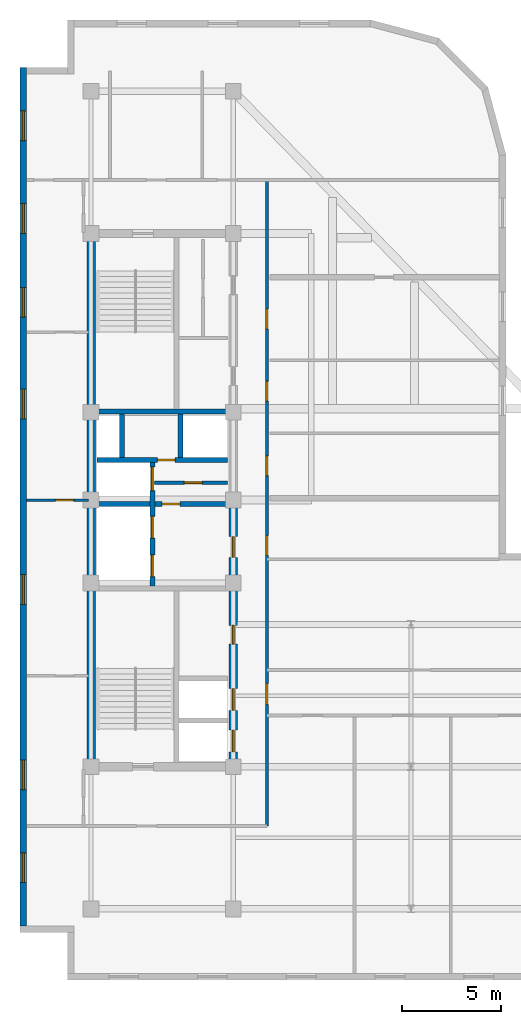
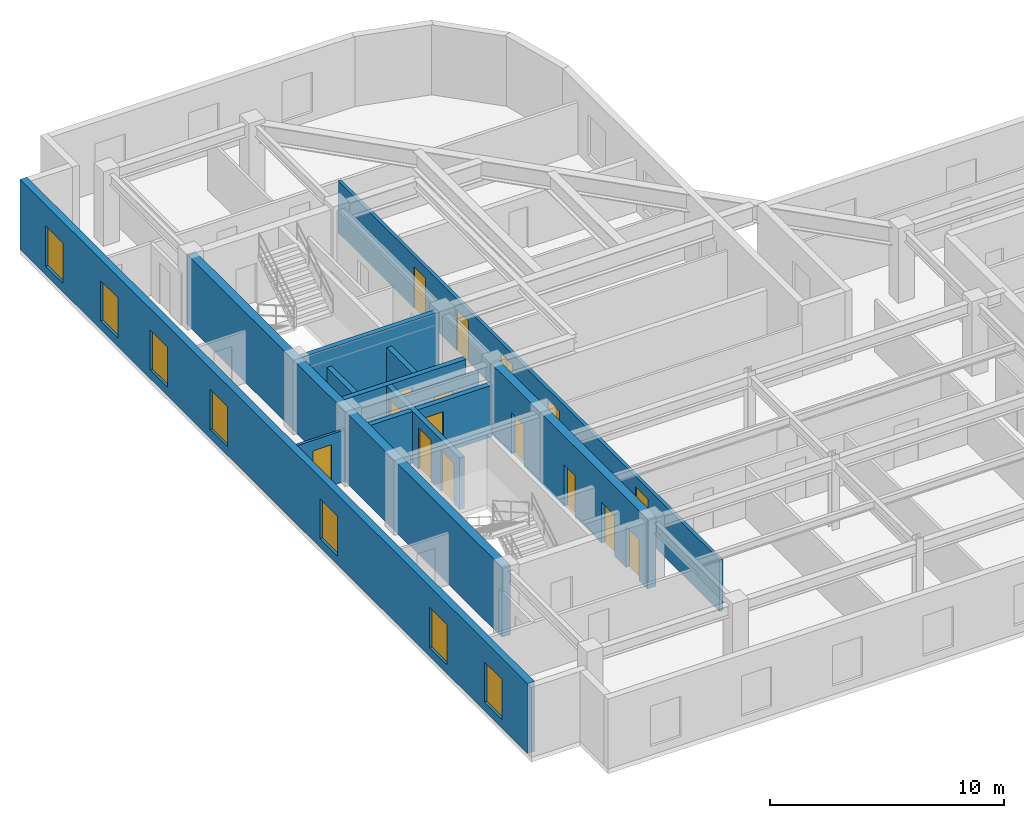
# One storey, part 4 of 10: 16 doors, 12 walls, 7 windows, 23 openings.
"""IFC4 building model written with IfcOpenShell, lengths in metres."""

from ifc_helpers import new_model, entity, si_unit, converted_unit, direction, frame, origin_with_axes, origin_2d_with_axis, place, context, subcontext, project, spatial, polyline, rectangle, outline, extrude, material, layer, layer_set, type_object, element, fill, save


model = new_model("IFC4")

# Units and contexts
model_context = context("Model", 3, precision=1e-05, world=origin_with_axes(), true_north=direction((0.0, 1.0)))
body_context = subcontext(model_context, "Body", "Model", "MODEL_VIEW")
ifc_project = project(units=[si_unit("LENGTHUNIT", "METRE"), si_unit("AREAUNIT", "SQUARE_METRE"), si_unit("VOLUMEUNIT", "CUBIC_METRE"), converted_unit("PLANEANGLEUNIT", "DEGREE", entity("IfcPlaneAngleMeasure", 0.017453292519943295), si_unit("PLANEANGLEUNIT", "RADIAN"), dimensions=[0, 0, 0, 0, 0, 0, 0]), si_unit("MASSUNIT", "GRAM", prefix="KILO"), si_unit("THERMODYNAMICTEMPERATUREUNIT", "KELVIN")], contexts=[model_context])

# Site, building, storey
site_placement = place(None, origin_with_axes())
site = spatial("IfcSite", under=ifc_project, at=site_placement, CompositionType="ELEMENT")
building_placement = place(site_placement, origin_with_axes())
building = spatial("IfcBuilding", under=site, at=building_placement, Name="Varnlund Millrace Tower", CompositionType="ELEMENT")
storey_placement = place(building_placement, frame((0.0, 0.0, 280.2), z_axis=(0.0, 0.0, 1.0), x_axis=(1.0, 0.0, 0.0)))
storey = spatial("IfcBuildingStorey", under=building, at=storey_placement, Name="L69", CompositionType="ELEMENT", Elevation=280.2)

# Wall
ifc_material_1 = material(Name="Concrete C60/75", Category="concrete")
ifc_layer_1 = layer(ifc_material_1, 0.42, Name="Concrete C60/75")
ifc_layer_set_1 = layer_set([ifc_layer_1], Name="Concrete C60/75")
wall_type_1 = type_object("IfcWallType", Name="Type-CoreWall-Shear-420-C60", PredefinedType="SHEAR", material=ifc_layer_set_1)
wall_1_placement = place(storey_placement, frame((11.4, 10.8, 0.0), z_axis=(0.0, 0.0, 1.0), x_axis=(0.0, 1.0, 0.0)))
element("IfcWall", 1, at=wall_1_placement, inside=storey, type_object=wall_type_1, Name="Type-CoreWall-Shear-420-C60", PredefinedType="SHEAR", context=body_context, shape_type="SweptSolid", body=[
    extrude(outline(polyline([(0.0, -0.21), (27.0, -0.21), (27.0, 0.21), (0.0, 0.21), (0.0, -0.21)])), origin_with_axes(), (0.0, 0.0, 1.0), 3.66),
])

# Wall, openings, doors
wall_2_placement = place(storey_placement, frame((18.6, 10.8, 0.0), z_axis=(0.0, 0.0, 1.0), x_axis=(0.0, 1.0, 0.0)))
wall_2 = element("IfcWall", 2, at=wall_2_placement, inside=storey, type_object=wall_type_1, Name="Type-CoreWall-Shear-420-C60", PredefinedType="SHEAR", context=body_context, shape_type="SweptSolid", body=[
    extrude(outline(polyline([(0.0, -0.21), (13.5, -0.21), (13.5, 0.21), (0.0, 0.21), (0.0, -0.21)])), origin_with_axes(), (0.0, 0.0, 1.0), 3.66),
])
opening_1_placement = place(wall_2_placement, frame((1.3, 0.0, 0.0), z_axis=(0.0, 0.0, 1.0), x_axis=(1.0, 0.0, 0.0)))
opening_1 = element("IfcOpeningElement", 3, at=opening_1_placement, cuts=wall_2, Name="Opening L69:LD-ELV-H1", PredefinedType="OPENING", context=body_context, shape_type="SweptSolid", body=[
    extrude(rectangle(XDim=1.1, YDim=0.44, at=origin_2d_with_axis()), origin_with_axes(), (0.0, 0.0, 1.0), 2.15),
])
opening_2_placement = place(wall_2_placement, frame((3.4, 0.0, 0.0), z_axis=(0.0, 0.0, 1.0), x_axis=(1.0, 0.0, 0.0)))
opening_2 = element("IfcOpeningElement", 4, at=opening_2_placement, cuts=wall_2, Name="Opening L69:LD-ELV-H2", PredefinedType="OPENING", context=body_context, shape_type="SweptSolid", body=[
    extrude(rectangle(XDim=1.1, YDim=0.44, at=origin_2d_with_axis()), origin_with_axes(), (0.0, 0.0, 1.0), 2.15),
])
opening_3_placement = place(wall_2_placement, frame((11.125, 0.0, 0.0), z_axis=(0.0, 0.0, 1.0), x_axis=(1.0, 0.0, 0.0)))
opening_3 = element("IfcOpeningElement", 5, at=opening_3_placement, cuts=wall_2, Name="Opening L69:DR-FFLOB-A", PredefinedType="OPENING", context=body_context, shape_type="SweptSolid", body=[
    extrude(rectangle(XDim=1.05, YDim=0.44, at=origin_2d_with_axis()), origin_with_axes(), (0.0, 0.0, 1.0), 2.15),
])
opening_4_placement = place(wall_2_placement, frame((6.675, 0.0, 0.0), z_axis=(0.0, 0.0, 1.0), x_axis=(1.0, 0.0, 0.0)))
opening_4 = element("IfcOpeningElement", 6, at=opening_4_placement, cuts=wall_2, Name="Opening L69:DR-RECL-S1AB", PredefinedType="OPENING", context=body_context, shape_type="SweptSolid", body=[
    extrude(rectangle(XDim=0.95, YDim=0.44, at=origin_2d_with_axis()), origin_with_axes(), (0.0, 0.0, 1.0), 2.15),
])
ifc_material_2 = material(Name="Smoke-barrier hollow steel fire door", Category="steel")
door_type_1 = type_object("IfcDoorType", Name="Type-FireDoor-Lobby-1050X2150", OperationType="NOTDEFINED", PredefinedType="DOOR", material=ifc_material_2)
door_1_placement = place(wall_2_placement, frame((11.125, 0.0, 0.0), z_axis=(0.0, 0.0, 1.0), x_axis=(1.0, 0.0, 0.0)))
door_1 = element("IfcDoor", 7, at=door_1_placement, inside=storey, type_object=door_type_1, Name="Type-FireDoor-Lobby-1050X2150", OperationType="SINGLE_SWING_LEFT", OverallHeight=2.15, OverallWidth=1.05, PredefinedType="DOOR", context=body_context, shape_type="SweptSolid", body=[
    extrude(rectangle(XDim=1.05, YDim=0.09, at=origin_2d_with_axis()), origin_with_axes(), (0.0, 0.0, 1.0), 2.15),
])
fill(opening_3, door_1)
ifc_material_3 = material(Name="Fire-rated hollow steel core service door", Category="steel")
door_type_2 = type_object("IfcDoorType", Name="Type-FireDoor-Service-950X2150", OperationType="NOTDEFINED", PredefinedType="DOOR", material=ifc_material_3)
door_2_placement = place(wall_2_placement, frame((6.675, 0.0, 0.0), z_axis=(0.0, 0.0, 1.0), x_axis=(1.0, 0.0, 0.0)))
door_2 = element("IfcDoor", 8, at=door_2_placement, inside=storey, type_object=door_type_2, Name="Type-FireDoor-Service-950X2150", OperationType="SINGLE_SWING_LEFT", OverallHeight=2.15, OverallWidth=0.95, PredefinedType="DOOR", context=body_context, shape_type="SweptSolid", body=[
    extrude(rectangle(XDim=0.95, YDim=0.09, at=origin_2d_with_axis()), origin_with_axes(), (0.0, 0.0, 1.0), 2.15),
])
fill(opening_4, door_2)
ifc_material_4 = material(Name="Stainless and architectural bronze sliding landing door")
door_type_3 = type_object("IfcDoorType", Name="Type-LiftLandingDoor-1100X2150", OperationType="NOTDEFINED", PredefinedType="DOOR", material=ifc_material_4)
door_3_placement = place(wall_2_placement, frame((1.3, 0.0, 0.0), z_axis=(0.0, 0.0, 1.0), x_axis=(1.0, 0.0, 0.0)))
door_3 = element("IfcDoor", 9, at=door_3_placement, inside=storey, type_object=door_type_3, Name="Type-LiftLandingDoor-1100X2150", OperationType="SLIDING_TO_LEFT", OverallHeight=2.15, OverallWidth=1.1, PredefinedType="DOOR", context=body_context, shape_type="SweptSolid", body=[
    extrude(rectangle(XDim=1.1, YDim=0.09, at=origin_2d_with_axis()), origin_with_axes(), (0.0, 0.0, 1.0), 2.15),
])
fill(opening_1, door_3)
door_4_placement = place(wall_2_placement, frame((3.4, 0.0, 0.0), z_axis=(0.0, 0.0, 1.0), x_axis=(1.0, 0.0, 0.0)))
door_4 = element("IfcDoor", 10, at=door_4_placement, inside=storey, type_object=door_type_3, Name="Type-LiftLandingDoor-1100X2150", OperationType="SLIDING_TO_RIGHT", OverallHeight=2.15, OverallWidth=1.1, PredefinedType="DOOR", context=body_context, shape_type="SweptSolid", body=[
    extrude(rectangle(XDim=1.1, YDim=0.09, at=origin_2d_with_axis()), origin_with_axes(), (0.0, 0.0, 1.0), 2.15),
])
fill(opening_2, door_4)

# Wall, openings, windows
ifc_material_5 = material(Name="Precast concrete C50/60", Category="concrete")
ifc_layer_2 = layer(ifc_material_5, 0.34, Name="Precast concrete C50/60")
ifc_layer_set_2 = layer_set([ifc_layer_2], Name="Precast concrete C50/60")
wall_type_2 = type_object("IfcWallType", Name="Type-ExtWall-Precast-Upper-340", PredefinedType="SOLIDWALL", material=ifc_layer_set_2)
wall_3_placement = place(storey_placement, frame((7.97, 2.74, 0.0), z_axis=(0.0, 0.0, 1.0), x_axis=(0.0, 1.0, 0.0)))
wall_3 = element("IfcWall", 11, at=wall_3_placement, inside=storey, type_object=wall_type_2, Name="Type-ExtWall-Precast-Upper-340", PredefinedType="SOLIDWALL", context=body_context, shape_type="SweptSolid", body=[
    extrude(outline(polyline([(0.0, -0.17), (43.46, -0.17), (43.46, 0.17), (0.0, 0.17), (0.0, -0.17)])), origin_with_axes(), (0.0, 0.0, 1.0), 3.66),
])
opening_5_placement = place(wall_3_placement, frame((2.948, 0.0, 0.45), z_axis=(0.0, 0.0, 1.0), x_axis=(1.0, 0.0, 0.0)))
opening_5 = element("IfcOpeningElement", 12, at=opening_5_placement, cuts=wall_3, Name="Opening L69:WN-17", PredefinedType="OPENING", context=body_context, shape_type="SweptSolid", body=[
    extrude(rectangle(XDim=1.5, YDim=0.36, at=origin_2d_with_axis()), origin_with_axes(), (0.0, 0.0, 1.0), 2.1),
])
opening_6_placement = place(wall_3_placement, frame((7.643, 0.0, 0.45), z_axis=(0.0, 0.0, 1.0), x_axis=(1.0, 0.0, 0.0)))
opening_6 = element("IfcOpeningElement", 13, at=opening_6_placement, cuts=wall_3, Name="Opening L69:WN-18", PredefinedType="OPENING", context=body_context, shape_type="SweptSolid", body=[
    extrude(rectangle(XDim=1.5, YDim=0.36, at=origin_2d_with_axis()), origin_with_axes(), (0.0, 0.0, 1.0), 2.1),
])
opening_7_placement = place(wall_3_placement, frame((17.034, 0.0, 0.45), z_axis=(0.0, 0.0, 1.0), x_axis=(1.0, 0.0, 0.0)))
opening_7 = element("IfcOpeningElement", 14, at=opening_7_placement, cuts=wall_3, Name="Opening L69:WN-19", PredefinedType="OPENING", context=body_context, shape_type="SweptSolid", body=[
    extrude(rectangle(XDim=1.5, YDim=0.36, at=origin_2d_with_axis()), origin_with_axes(), (0.0, 0.0, 1.0), 2.1),
])
opening_8_placement = place(wall_3_placement, frame((26.426, 0.0, 0.45), z_axis=(0.0, 0.0, 1.0), x_axis=(1.0, 0.0, 0.0)))
opening_8 = element("IfcOpeningElement", 15, at=opening_8_placement, cuts=wall_3, Name="Opening L69:WN-20", PredefinedType="OPENING", context=body_context, shape_type="SweptSolid", body=[
    extrude(rectangle(XDim=1.5, YDim=0.36, at=origin_2d_with_axis()), origin_with_axes(), (0.0, 0.0, 1.0), 2.1),
])
opening_9_placement = place(wall_3_placement, frame((31.571, 0.0, 0.45), z_axis=(0.0, 0.0, 1.0), x_axis=(1.0, 0.0, 0.0)))
opening_9 = element("IfcOpeningElement", 16, at=opening_9_placement, cuts=wall_3, Name="Opening L69:WN-21", PredefinedType="OPENING", context=body_context, shape_type="SweptSolid", body=[
    extrude(rectangle(XDim=1.5, YDim=0.36, at=origin_2d_with_axis()), origin_with_axes(), (0.0, 0.0, 1.0), 2.1),
])
opening_10_placement = place(wall_3_placement, frame((35.817, 0.0, 0.45), z_axis=(0.0, 0.0, 1.0), x_axis=(1.0, 0.0, 0.0)))
opening_10 = element("IfcOpeningElement", 17, at=opening_10_placement, cuts=wall_3, Name="Opening L69:WN-22", PredefinedType="OPENING", context=body_context, shape_type="SweptSolid", body=[
    extrude(rectangle(XDim=1.5, YDim=0.36, at=origin_2d_with_axis()), origin_with_axes(), (0.0, 0.0, 1.0), 2.1),
])
opening_11_placement = place(wall_3_placement, frame((40.512, 0.0, 0.45), z_axis=(0.0, 0.0, 1.0), x_axis=(1.0, 0.0, 0.0)))
opening_11 = element("IfcOpeningElement", 18, at=opening_11_placement, cuts=wall_3, Name="Opening L69:WN-23", PredefinedType="OPENING", context=body_context, shape_type="SweptSolid", body=[
    extrude(rectangle(XDim=1.5, YDim=0.36, at=origin_2d_with_axis()), origin_with_axes(), (0.0, 0.0, 1.0), 2.1),
])
ifc_material_6 = material(Name="Argon low-e triple glazing in thermally broken bronze frame", Category="glass")
window_type = type_object("IfcWindowType", Name="Type-Window-Punched-1500X2100", PartitioningType="SINGLE_PANEL", PredefinedType="WINDOW", material=ifc_material_6)
window_1_placement = place(wall_3_placement, frame((2.948, 0.0, 0.45), z_axis=(0.0, 0.0, 1.0), x_axis=(1.0, 0.0, 0.0)))
window_1 = element("IfcWindow", 19, at=window_1_placement, inside=storey, type_object=window_type, Name="Type-Window-Punched-1500X2100", OverallHeight=2.1, OverallWidth=1.5, PredefinedType="WINDOW", context=body_context, shape_type="SweptSolid", body=[
    extrude(rectangle(XDim=1.5, YDim=0.09, at=origin_2d_with_axis()), origin_with_axes(), (0.0, 0.0, 1.0), 2.1),
])
fill(opening_5, window_1)
window_2_placement = place(wall_3_placement, frame((7.643, 0.0, 0.45), z_axis=(0.0, 0.0, 1.0), x_axis=(1.0, 0.0, 0.0)))
window_2 = element("IfcWindow", 20, at=window_2_placement, inside=storey, type_object=window_type, Name="Type-Window-Punched-1500X2100", OverallHeight=2.1, OverallWidth=1.5, PredefinedType="WINDOW", context=body_context, shape_type="SweptSolid", body=[
    extrude(rectangle(XDim=1.5, YDim=0.09, at=origin_2d_with_axis()), origin_with_axes(), (0.0, 0.0, 1.0), 2.1),
])
fill(opening_6, window_2)
window_3_placement = place(wall_3_placement, frame((17.034, 0.0, 0.45), z_axis=(0.0, 0.0, 1.0), x_axis=(1.0, 0.0, 0.0)))
window_3 = element("IfcWindow", 21, at=window_3_placement, inside=storey, type_object=window_type, Name="Type-Window-Punched-1500X2100", OverallHeight=2.1, OverallWidth=1.5, PredefinedType="WINDOW", context=body_context, shape_type="SweptSolid", body=[
    extrude(rectangle(XDim=1.5, YDim=0.09, at=origin_2d_with_axis()), origin_with_axes(), (0.0, 0.0, 1.0), 2.1),
])
fill(opening_7, window_3)
window_4_placement = place(wall_3_placement, frame((26.426, 0.0, 0.45), z_axis=(0.0, 0.0, 1.0), x_axis=(1.0, 0.0, 0.0)))
window_4 = element("IfcWindow", 22, at=window_4_placement, inside=storey, type_object=window_type, Name="Type-Window-Punched-1500X2100", OverallHeight=2.1, OverallWidth=1.5, PredefinedType="WINDOW", context=body_context, shape_type="SweptSolid", body=[
    extrude(rectangle(XDim=1.5, YDim=0.09, at=origin_2d_with_axis()), origin_with_axes(), (0.0, 0.0, 1.0), 2.1),
])
fill(opening_8, window_4)
window_5_placement = place(wall_3_placement, frame((31.571, 0.0, 0.45), z_axis=(0.0, 0.0, 1.0), x_axis=(1.0, 0.0, 0.0)))
window_5 = element("IfcWindow", 23, at=window_5_placement, inside=storey, type_object=window_type, Name="Type-Window-Punched-1500X2100", OverallHeight=2.1, OverallWidth=1.5, PredefinedType="WINDOW", context=body_context, shape_type="SweptSolid", body=[
    extrude(rectangle(XDim=1.5, YDim=0.09, at=origin_2d_with_axis()), origin_with_axes(), (0.0, 0.0, 1.0), 2.1),
])
fill(opening_9, window_5)
window_6_placement = place(wall_3_placement, frame((35.817, 0.0, 0.45), z_axis=(0.0, 0.0, 1.0), x_axis=(1.0, 0.0, 0.0)))
window_6 = element("IfcWindow", 24, at=window_6_placement, inside=storey, type_object=window_type, Name="Type-Window-Punched-1500X2100", OverallHeight=2.1, OverallWidth=1.5, PredefinedType="WINDOW", context=body_context, shape_type="SweptSolid", body=[
    extrude(rectangle(XDim=1.5, YDim=0.09, at=origin_2d_with_axis()), origin_with_axes(), (0.0, 0.0, 1.0), 2.1),
])
fill(opening_10, window_6)
window_7_placement = place(wall_3_placement, frame((40.512, 0.0, 0.45), z_axis=(0.0, 0.0, 1.0), x_axis=(1.0, 0.0, 0.0)))
window_7 = element("IfcWindow", 25, at=window_7_placement, inside=storey, type_object=window_type, Name="Type-Window-Punched-1500X2100", OverallHeight=2.1, OverallWidth=1.5, PredefinedType="WINDOW", context=body_context, shape_type="SweptSolid", body=[
    extrude(rectangle(XDim=1.5, YDim=0.09, at=origin_2d_with_axis()), origin_with_axes(), (0.0, 0.0, 1.0), 2.1),
])
fill(opening_11, window_7)

# Wall, opening, door
ifc_material_7 = material(Name="Fire-rated gypsum board on cold-formed steel framing", Category="steel")
ifc_layer_3 = layer(ifc_material_7, 0.16, Name="Fire-rated gypsum board on cold-formed steel framing")
ifc_layer_set_3 = layer_set([ifc_layer_3], Name="Fire-rated gypsum board on cold-formed steel framing")
wall_type_3 = type_object("IfcWallType", Name="Type-Partition-Corridor-160", PredefinedType="PARTITIONING", material=ifc_layer_set_3)
wall_4_placement = place(storey_placement, frame((14.62, 25.18, 0.0), z_axis=(0.0, 0.0, 1.0), x_axis=(1.0, 0.0, 0.0)))
wall_4 = element("IfcWall", 26, at=wall_4_placement, inside=storey, type_object=wall_type_3, Name="Type-Partition-Corridor-160", PredefinedType="PARTITIONING", context=body_context, shape_type="SweptSolid", body=[
    extrude(outline(polyline([(0.0, -0.08), (3.68, -0.08), (3.68, 0.08), (0.0, 0.08), (0.0, -0.08)])), origin_with_axes(), (0.0, 0.0, 1.0), 2.7),
])
opening_12_placement = place(wall_4_placement, frame((1.95, 0.0, 0.0), z_axis=(0.0, 0.0, 1.0), x_axis=(1.0, 0.0, 0.0)))
opening_12 = element("IfcOpeningElement", 27, at=opening_12_placement, cuts=wall_4, Name="Opening L69:DR-CA-SUB2", PredefinedType="OPENING", context=body_context, shape_type="SweptSolid", body=[
    extrude(rectangle(XDim=0.9, YDim=0.18, at=origin_2d_with_axis()), origin_with_axes(), (0.0, 0.0, 1.0), 2.15),
])
ifc_material_8 = material(Name="Painted steel riser and closet door", Category="steel")
door_type_4 = type_object("IfcDoorType", Name="Type-IntDoor-Closet-900X2150", OperationType="NOTDEFINED", PredefinedType="DOOR", material=ifc_material_8)
door_5_placement = place(wall_4_placement, frame((1.95, 0.0, 0.0), z_axis=(0.0, 0.0, 1.0), x_axis=(1.0, 0.0, 0.0)))
door_5 = element("IfcDoor", 28, at=door_5_placement, inside=storey, type_object=door_type_4, Name="Type-IntDoor-Closet-900X2150", OperationType="SINGLE_SWING_LEFT", OverallHeight=2.15, OverallWidth=0.9, PredefinedType="DOOR", context=body_context, shape_type="SweptSolid", body=[
    extrude(rectangle(XDim=0.9, YDim=0.09, at=origin_2d_with_axis()), origin_with_axes(), (0.0, 0.0, 1.0), 2.15),
])
fill(opening_12, door_5)

# Wall, openings, doors
wall_5_placement = place(storey_placement, frame((20.3, 7.8, 0.0), z_axis=(0.0, 0.0, 1.0), x_axis=(0.0, 1.0, 0.0)))
wall_5 = element("IfcWall", 29, at=wall_5_placement, inside=storey, type_object=wall_type_3, Name="Type-Partition-Corridor-160", PredefinedType="PARTITIONING", context=body_context, shape_type="SweptSolid", body=[
    extrude(outline(polyline([(0.0, -0.08), (32.7, -0.08), (32.7, 0.08), (0.0, 0.08), (0.0, -0.08)])), origin_with_axes(), (0.0, 0.0, 1.0), 2.7),
])
opening_13_placement = place(wall_5_placement, frame((14.2, 0.0, 0.0), z_axis=(0.0, 0.0, 1.0), x_axis=(1.0, 0.0, 0.0)))
opening_13 = element("IfcOpeningElement", 30, at=opening_13_placement, cuts=wall_5, Name="Opening L69:DR-FLR-01", PredefinedType="OPENING", context=body_context, shape_type="SweptSolid", body=[
    extrude(rectangle(XDim=1.0, YDim=0.18, at=origin_2d_with_axis()), origin_with_axes(), (0.0, 0.0, 1.0), 2.15),
])
opening_14_placement = place(wall_5_placement, frame((18.24, 0.0, 0.0), z_axis=(0.0, 0.0, 1.0), x_axis=(1.0, 0.0, 0.0)))
opening_14 = element("IfcOpeningElement", 31, at=opening_14_placement, cuts=wall_5, Name="Opening L69:DR-FLR-02", PredefinedType="OPENING", context=body_context, shape_type="SweptSolid", body=[
    extrude(rectangle(XDim=1.0, YDim=0.18, at=origin_2d_with_axis()), origin_with_axes(), (0.0, 0.0, 1.0), 2.15),
])
opening_15_placement = place(wall_5_placement, frame((22.011, 0.0, 0.0), z_axis=(0.0, 0.0, 1.0), x_axis=(1.0, 0.0, 0.0)))
opening_15 = element("IfcOpeningElement", 32, at=opening_15_placement, cuts=wall_5, Name="Opening L69:DR-FLR-03", PredefinedType="OPENING", context=body_context, shape_type="SweptSolid", body=[
    extrude(rectangle(XDim=1.0, YDim=0.18, at=origin_2d_with_axis()), origin_with_axes(), (0.0, 0.0, 1.0), 2.15),
])
opening_16_placement = place(wall_5_placement, frame((25.672, 0.0, 0.0), z_axis=(0.0, 0.0, 1.0), x_axis=(1.0, 0.0, 0.0)))
opening_16 = element("IfcOpeningElement", 33, at=opening_16_placement, cuts=wall_5, Name="Opening L69:DR-FLR-04", PredefinedType="OPENING", context=body_context, shape_type="SweptSolid", body=[
    extrude(rectangle(XDim=1.0, YDim=0.18, at=origin_2d_with_axis()), origin_with_axes(), (0.0, 0.0, 1.0), 2.15),
])
opening_17_placement = place(wall_5_placement, frame((6.675, 0.0, 0.0), z_axis=(0.0, 0.0, 1.0), x_axis=(1.0, 0.0, 0.0)))
opening_17 = element("IfcOpeningElement", 34, at=opening_17_placement, cuts=wall_5, Name="Opening L69:DR-KN-W", PredefinedType="OPENING", context=body_context, shape_type="SweptSolid", body=[
    extrude(rectangle(XDim=1.05, YDim=0.18, at=origin_2d_with_axis()), origin_with_axes(), (0.0, 0.0, 1.0), 2.15),
])
door_6_placement = place(wall_5_placement, frame((6.675, 0.0, 0.0), z_axis=(0.0, 0.0, 1.0), x_axis=(1.0, 0.0, 0.0)))
door_6 = element("IfcDoor", 35, at=door_6_placement, inside=storey, type_object=door_type_1, Name="Type-FireDoor-Lobby-1050X2150", OperationType="SINGLE_SWING_LEFT", OverallHeight=2.15, OverallWidth=1.05, PredefinedType="DOOR", context=body_context, shape_type="SweptSolid", body=[
    extrude(rectangle(XDim=1.05, YDim=0.09, at=origin_2d_with_axis()), origin_with_axes(), (0.0, 0.0, 1.0), 2.15),
])
fill(opening_17, door_6)
ifc_material_9 = material(Name="Solid-core white oak and bronze frame door")
door_type_5 = type_object("IfcDoorType", Name="Type-IntDoor-Office-1000X2150", OperationType="NOTDEFINED", PredefinedType="DOOR", material=ifc_material_9)
door_7_placement = place(wall_5_placement, frame((14.2, 0.0, 0.0), z_axis=(0.0, 0.0, 1.0), x_axis=(1.0, 0.0, 0.0)))
door_7 = element("IfcDoor", 36, at=door_7_placement, inside=storey, type_object=door_type_5, Name="Type-IntDoor-Office-1000X2150", OperationType="SINGLE_SWING_LEFT", OverallHeight=2.15, OverallWidth=1.0, PredefinedType="DOOR", context=body_context, shape_type="SweptSolid", body=[
    extrude(rectangle(XDim=1.0, YDim=0.09, at=origin_2d_with_axis()), origin_with_axes(), (0.0, 0.0, 1.0), 2.15),
])
fill(opening_13, door_7)
door_8_placement = place(wall_5_placement, frame((18.24, 0.0, 0.0), z_axis=(0.0, 0.0, 1.0), x_axis=(1.0, 0.0, 0.0)))
door_8 = element("IfcDoor", 37, at=door_8_placement, inside=storey, type_object=door_type_5, Name="Type-IntDoor-Office-1000X2150", OperationType="SINGLE_SWING_RIGHT", OverallHeight=2.15, OverallWidth=1.0, PredefinedType="DOOR", context=body_context, shape_type="SweptSolid", body=[
    extrude(rectangle(XDim=1.0, YDim=0.09, at=origin_2d_with_axis()), origin_with_axes(), (0.0, 0.0, 1.0), 2.15),
])
fill(opening_14, door_8)
door_9_placement = place(wall_5_placement, frame((22.011, 0.0, 0.0), z_axis=(0.0, 0.0, 1.0), x_axis=(1.0, 0.0, 0.0)))
door_9 = element("IfcDoor", 38, at=door_9_placement, inside=storey, type_object=door_type_5, Name="Type-IntDoor-Office-1000X2150", OperationType="SINGLE_SWING_LEFT", OverallHeight=2.15, OverallWidth=1.0, PredefinedType="DOOR", context=body_context, shape_type="SweptSolid", body=[
    extrude(rectangle(XDim=1.0, YDim=0.09, at=origin_2d_with_axis()), origin_with_axes(), (0.0, 0.0, 1.0), 2.15),
])
fill(opening_15, door_9)
door_10_placement = place(wall_5_placement, frame((25.672, 0.0, 0.0), z_axis=(0.0, 0.0, 1.0), x_axis=(1.0, 0.0, 0.0)))
door_10 = element("IfcDoor", 39, at=door_10_placement, inside=storey, type_object=door_type_5, Name="Type-IntDoor-Office-1000X2150", OperationType="SINGLE_SWING_RIGHT", OverallHeight=2.15, OverallWidth=1.0, PredefinedType="DOOR", context=body_context, shape_type="SweptSolid", body=[
    extrude(rectangle(XDim=1.0, YDim=0.09, at=origin_2d_with_axis()), origin_with_axes(), (0.0, 0.0, 1.0), 2.15),
])
fill(opening_16, door_10)

# Wall, opening, door
ifc_material_10 = material(Name="Gypsum board tenant partition", Category="gypsum")
ifc_layer_4 = layer(ifc_material_10, 0.125, Name="Gypsum board tenant partition")
ifc_layer_set_4 = layer_set([ifc_layer_4], Name="Gypsum board tenant partition")
wall_type_4 = type_object("IfcWallType", Name="Type-Partition-Tenant-125", PredefinedType="PARTITIONING", material=ifc_layer_set_4)
wall_6_placement = place(storey_placement, frame((8.135, 24.3, 0.0), z_axis=(0.0, 0.0, 1.0), x_axis=(1.0, 0.0, 0.0)))
wall_6 = element("IfcWall", 40, at=wall_6_placement, inside=storey, type_object=wall_type_4, Name="Type-Partition-Tenant-125", PredefinedType="PARTITIONING", context=body_context, shape_type="SweptSolid", body=[
    extrude(outline(polyline([(0.0, -0.0625), (3.135, -0.0625), (3.135, 0.0625), (0.0, 0.0625), (0.0, -0.0625)])), origin_with_axes(), (0.0, 0.0, 1.0), 2.7),
])
opening_18_placement = place(wall_6_placement, frame((1.925, 0.0, 0.0), z_axis=(0.0, 0.0, 1.0), x_axis=(1.0, 0.0, 0.0)))
opening_18 = element("IfcOpeningElement", 41, at=opening_18_placement, cuts=wall_6, Name="Opening L69:DR-WUI-2", PredefinedType="OPENING", context=body_context, shape_type="SweptSolid", body=[
    extrude(rectangle(XDim=0.9, YDim=0.145, at=origin_2d_with_axis()), origin_with_axes(), (0.0, 0.0, 1.0), 2.15),
])
door_11_placement = place(wall_6_placement, frame((1.925, 0.0, 0.0), z_axis=(0.0, 0.0, 1.0), x_axis=(1.0, 0.0, 0.0)))
door_11 = element("IfcDoor", 42, at=door_11_placement, inside=storey, type_object=door_type_4, Name="Type-IntDoor-Closet-900X2150", OperationType="SINGLE_SWING_LEFT", OverallHeight=2.15, OverallWidth=0.9, PredefinedType="DOOR", context=body_context, shape_type="SweptSolid", body=[
    extrude(rectangle(XDim=0.9, YDim=0.075, at=origin_2d_with_axis()), origin_with_axes(), (0.0, 0.0, 1.0), 2.15),
])
fill(opening_18, door_11)

# Wall, openings, doors
ifc_layer_5 = layer(ifc_material_1, 0.25, Name="Concrete C60/75")
ifc_layer_set_5 = layer_set([ifc_layer_5], Name="Concrete C60/75")
wall_type_5 = type_object("IfcWallType", Name="Type-ShaftWall-Fire-250", PredefinedType="SOLIDWALL", material=ifc_layer_set_5)
wall_7_placement = place(storey_placement, frame((14.5, 19.95, 0.0), z_axis=(0.0, 0.0, 1.0), x_axis=(0.0, 1.0, 0.0)))
wall_7 = element("IfcWall", 43, at=wall_7_placement, inside=storey, type_object=wall_type_5, Name="Type-ShaftWall-Fire-250", PredefinedType="SOLIDWALL", context=body_context, shape_type="SweptSolid", body=[
    extrude(outline(polyline([(0.0, -0.125), (6.25, -0.125), (6.25, 0.125), (0.0, 0.125), (0.0, -0.125)])), origin_with_axes(), (0.0, 0.0, 1.0), 2.7),
])
opening_19_placement = place(wall_7_placement, frame((1.025, 0.0, 0.0), z_axis=(0.0, 0.0, 1.0), x_axis=(1.0, 0.0, 0.0)))
opening_19 = element("IfcOpeningElement", 44, at=opening_19_placement, cuts=wall_7, Name="Opening L69:LD-FSAE1", PredefinedType="OPENING", context=body_context, shape_type="SweptSolid", body=[
    extrude(rectangle(XDim=1.1, YDim=0.27, at=origin_2d_with_axis()), origin_with_axes(), (0.0, 0.0, 1.0), 2.15),
])
opening_20_placement = place(wall_7_placement, frame((2.975, 0.0, 0.0), z_axis=(0.0, 0.0, 1.0), x_axis=(1.0, 0.0, 0.0)))
opening_20 = element("IfcOpeningElement", 45, at=opening_20_placement, cuts=wall_7, Name="Opening L69:LD-FSAE2", PredefinedType="OPENING", context=body_context, shape_type="SweptSolid", body=[
    extrude(rectangle(XDim=1.1, YDim=0.27, at=origin_2d_with_axis()), origin_with_axes(), (0.0, 0.0, 1.0), 2.15),
])
opening_21_placement = place(wall_7_placement, frame((5.425, 0.0, 0.0), z_axis=(0.0, 0.0, 1.0), x_axis=(1.0, 0.0, 0.0)))
opening_21 = element("IfcOpeningElement", 46, at=opening_21_placement, cuts=wall_7, Name="Opening L69:LD-SRV1", PredefinedType="OPENING", context=body_context, shape_type="SweptSolid", body=[
    extrude(rectangle(XDim=1.2, YDim=0.27, at=origin_2d_with_axis()), origin_with_axes(), (0.0, 0.0, 1.0), 2.15),
])
door_12_placement = place(wall_7_placement, frame((1.025, 0.0, 0.0), z_axis=(0.0, 0.0, 1.0), x_axis=(1.0, 0.0, 0.0)))
door_12 = element("IfcDoor", 47, at=door_12_placement, inside=storey, type_object=door_type_3, Name="Type-LiftLandingDoor-1100X2150", OperationType="SLIDING_TO_LEFT", OverallHeight=2.15, OverallWidth=1.1, PredefinedType="DOOR", context=body_context, shape_type="SweptSolid", body=[
    extrude(rectangle(XDim=1.1, YDim=0.09, at=origin_2d_with_axis()), origin_with_axes(), (0.0, 0.0, 1.0), 2.15),
])
fill(opening_19, door_12)
door_13_placement = place(wall_7_placement, frame((2.975, 0.0, 0.0), z_axis=(0.0, 0.0, 1.0), x_axis=(1.0, 0.0, 0.0)))
door_13 = element("IfcDoor", 48, at=door_13_placement, inside=storey, type_object=door_type_3, Name="Type-LiftLandingDoor-1100X2150", OperationType="SLIDING_TO_RIGHT", OverallHeight=2.15, OverallWidth=1.1, PredefinedType="DOOR", context=body_context, shape_type="SweptSolid", body=[
    extrude(rectangle(XDim=1.1, YDim=0.09, at=origin_2d_with_axis()), origin_with_axes(), (0.0, 0.0, 1.0), 2.15),
])
fill(opening_20, door_13)
ifc_material_11 = material(Name="Heavy-duty freight sliding landing door")
door_type_6 = type_object("IfcDoorType", Name="Type-LiftLandingDoor-Service-1200X2150", OperationType="NOTDEFINED", PredefinedType="DOOR", material=ifc_material_11)
door_14_placement = place(wall_7_placement, frame((5.425, 0.0, 0.0), z_axis=(0.0, 0.0, 1.0), x_axis=(1.0, 0.0, 0.0)))
door_14 = element("IfcDoor", 49, at=door_14_placement, inside=storey, type_object=door_type_6, Name="Type-LiftLandingDoor-Service-1200X2150", OperationType="DOUBLE_DOOR_SLIDING", OverallHeight=2.15, OverallWidth=1.2, PredefinedType="DOOR", context=body_context, shape_type="SweptSolid", body=[
    extrude(rectangle(XDim=1.2, YDim=0.09, at=origin_2d_with_axis()), origin_with_axes(), (0.0, 0.0, 1.0), 2.15),
])
fill(opening_21, door_14)

# Wall, opening, door
wall_8_placement = place(storey_placement, frame((11.7, 24.1, 0.0), z_axis=(0.0, 0.0, 1.0), x_axis=(1.0, 0.0, 0.0)))
wall_8 = element("IfcWall", 50, at=wall_8_placement, inside=storey, type_object=wall_type_5, Name="Type-ShaftWall-Fire-250", PredefinedType="SOLIDWALL", context=body_context, shape_type="SweptSolid", body=[
    extrude(outline(polyline([(0.0, -0.125), (6.6, -0.125), (6.6, 0.125), (0.0, 0.125), (0.0, -0.125)])), origin_with_axes(), (0.0, 0.0, 1.0), 2.7),
])
opening_22_placement = place(wall_8_placement, frame((3.75, 0.0, 0.0), z_axis=(0.0, 0.0, 1.0), x_axis=(1.0, 0.0, 0.0)))
opening_22 = element("IfcOpeningElement", 51, at=opening_22_placement, cuts=wall_8, Name="Opening L69:DR-CA-SUB1", PredefinedType="OPENING", context=body_context, shape_type="SweptSolid", body=[
    extrude(rectangle(XDim=0.9, YDim=0.27, at=origin_2d_with_axis()), origin_with_axes(), (0.0, 0.0, 1.0), 2.15),
])
ifc_material_12 = material(Name="Fire-rated hollow steel service closet door", Category="steel")
door_type_7 = type_object("IfcDoorType", Name="Type-FireDoor-Closet-900X2150", OperationType="NOTDEFINED", PredefinedType="DOOR", material=ifc_material_12)
door_15_placement = place(wall_8_placement, frame((3.75, 0.0, 0.0), z_axis=(0.0, 0.0, 1.0), x_axis=(1.0, 0.0, 0.0)))
door_15 = element("IfcDoor", 52, at=door_15_placement, inside=storey, type_object=door_type_7, Name="Type-FireDoor-Closet-900X2150", OperationType="SINGLE_SWING_LEFT", OverallHeight=2.15, OverallWidth=0.9, PredefinedType="DOOR", context=body_context, shape_type="SweptSolid", body=[
    extrude(rectangle(XDim=0.9, YDim=0.09, at=origin_2d_with_axis()), origin_with_axes(), (0.0, 0.0, 1.0), 2.15),
])
fill(opening_22, door_15)

wall_9_placement = place(storey_placement, frame((11.7, 26.325, 0.0), z_axis=(0.0, 0.0, 1.0), x_axis=(1.0, 0.0, 0.0)))
wall_9 = element("IfcWall", 53, at=wall_9_placement, inside=storey, type_object=wall_type_5, Name="Type-ShaftWall-Fire-250", PredefinedType="SOLIDWALL", context=body_context, shape_type="SweptSolid", body=[
    extrude(outline(polyline([(0.0, -0.125), (6.6, -0.125), (6.6, 0.125), (0.0, 0.125), (0.0, -0.125)])), origin_with_axes(), (0.0, 0.0, 1.0), 2.7),
])
opening_23_placement = place(wall_9_placement, frame((3.5, 0.0, 0.0), z_axis=(0.0, 0.0, 1.0), x_axis=(1.0, 0.0, 0.0)))
opening_23 = element("IfcOpeningElement", 54, at=opening_23_placement, cuts=wall_9, Name="Opening L69:DR-CA-ELC", PredefinedType="OPENING", context=body_context, shape_type="SweptSolid", body=[
    extrude(rectangle(XDim=0.9, YDim=0.27, at=origin_2d_with_axis()), origin_with_axes(), (0.0, 0.0, 1.0), 2.15),
])
door_16_placement = place(wall_9_placement, frame((3.5, 0.0, 0.0), z_axis=(0.0, 0.0, 1.0), x_axis=(1.0, 0.0, 0.0)))
door_16 = element("IfcDoor", 55, at=door_16_placement, inside=storey, type_object=door_type_7, Name="Type-FireDoor-Closet-900X2150", OperationType="SINGLE_SWING_LEFT", OverallHeight=2.15, OverallWidth=0.9, PredefinedType="DOOR", context=body_context, shape_type="SweptSolid", body=[
    extrude(rectangle(XDim=0.9, YDim=0.09, at=origin_2d_with_axis()), origin_with_axes(), (0.0, 0.0, 1.0), 2.15),
])
fill(opening_23, door_16)

# Walls
for number, where, z_axis, x_axis, name in (
    (56, (12.96, 26.45, 0.0), (0.0, 0.0, 1.0), (0.0, 1.0, 0.0), "Type-ShaftWall-Fire-250"),
    (57, (15.925, 26.45, 0.0), (0.0, 0.0, 1.0), (0.0, 1.0, 0.0), "Type-ShaftWall-Fire-250"),
):
    element("IfcWall", number, at=place(storey_placement, frame(where, z_axis=z_axis, x_axis=x_axis)), inside=storey, type_object=wall_type_5, Name=name, PredefinedType="SOLIDWALL", context=body_context, shape_type="SweptSolid", body=[
        extrude(outline(polyline([(0.0, -0.125), (2.2, -0.125), (2.2, 0.125), (0.0, 0.125), (0.0, -0.125)])), origin_with_axes(), (0.0, 0.0, 1.0), 2.7),
    ])
wall_type_6 = type_object("IfcWallType", Name="Type-StairWall-Shear-250", PredefinedType="SHEAR", material=ifc_layer_set_5)
wall_10_placement = place(storey_placement, frame((11.61, 28.775, 0.0), z_axis=(0.0, 0.0, 1.0), x_axis=(1.0, 0.0, 0.0)))
element("IfcWall", 58, at=wall_10_placement, inside=storey, type_object=wall_type_6, Name="Type-StairWall-Shear-250", PredefinedType="SHEAR", context=body_context, shape_type="SweptSolid", body=[
    extrude(outline(polyline([(0.0, -0.125), (6.78, -0.125), (6.78, 0.125), (0.0, 0.125), (0.0, -0.125)])), origin_with_axes(), (0.0, 0.0, 1.0), 3.66),
])

save(model, "model.ifc")
